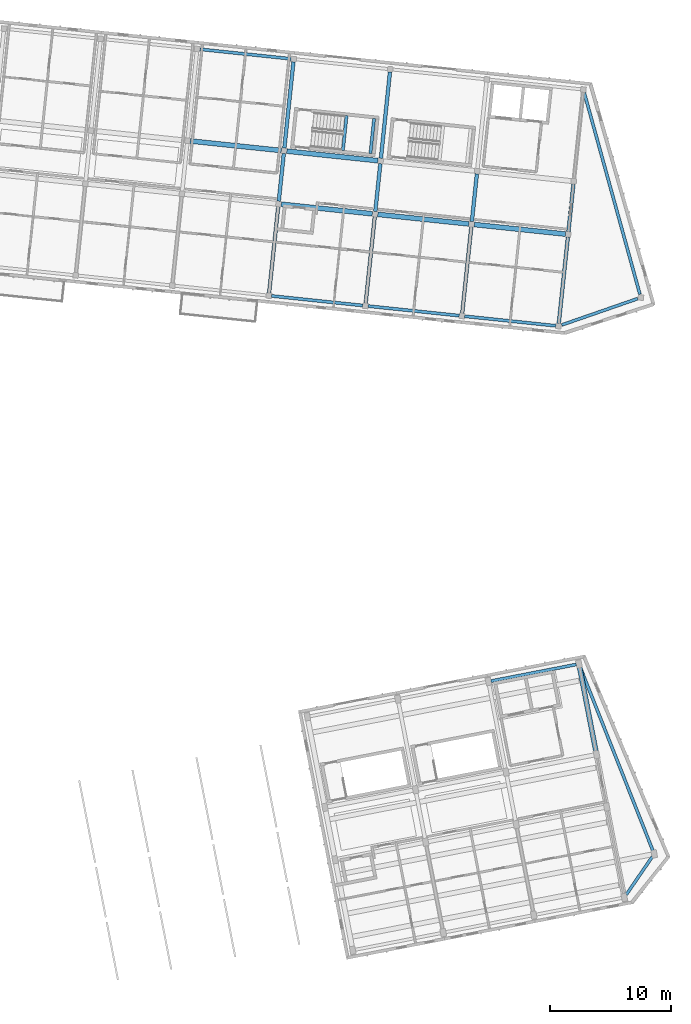
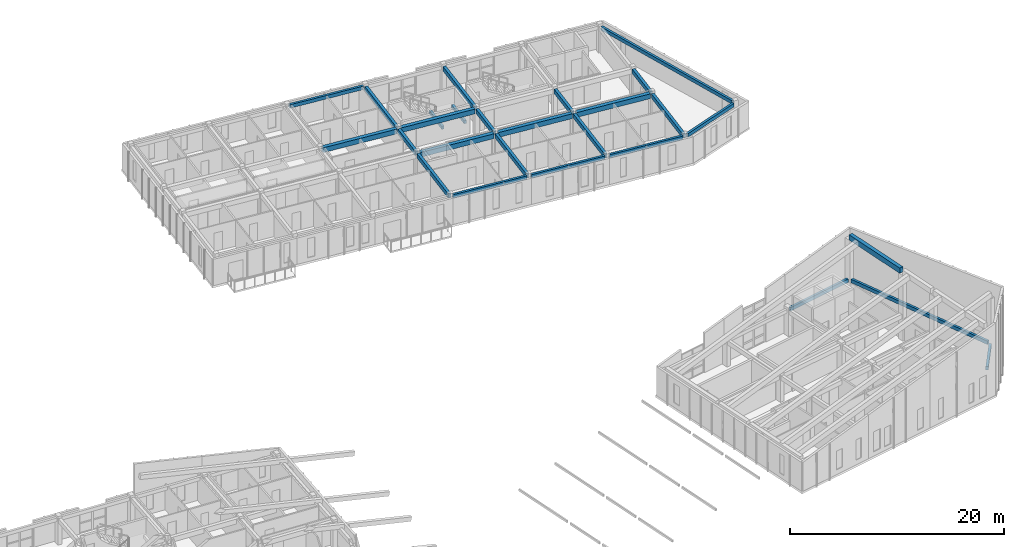
# One storey, part 13 of 56: 27 beams.
"""IFC4 building model written with IfcOpenShell, lengths in metres."""

from ifc_helpers import new_model, si_unit, direction, frame, origin, origin_2d, place, context, subcontext, project, spatial, rectangle, extrude, material, material_profile, profile_set, type_object, element, save


model = new_model("IFC4")

# Units and contexts
model_context = context("Model", 3, precision=1e-05, world=origin(), true_north=direction((0.0, 1.0)))
body_context = subcontext(model_context, "Body", "Model", "MODEL_VIEW")
ifc_project = project(units=[si_unit("LENGTHUNIT", "METRE"), si_unit("AREAUNIT", "SQUARE_METRE"), si_unit("VOLUMEUNIT", "CUBIC_METRE"), si_unit("PLANEANGLEUNIT", "RADIAN"), si_unit("MASSUNIT", "GRAM", prefix="KILO")], contexts=[model_context])

# Site, building, storey
site_placement = place(None, origin())
site = spatial("IfcSite", under=ifc_project, at=site_placement, CompositionType="ELEMENT")
building_placement = place(site_placement, origin())
building = spatial("IfcBuilding", under=site, at=building_placement, Name="Kestramere Prow Commons", CompositionType="ELEMENT")
storey_placement = place(building_placement, frame((0.0, 0.0, 27.89990234375)))
storey = spatial("IfcBuildingStorey", under=building, at=storey_placement, Name="L08", CompositionType="ELEMENT", Elevation=27.89990234375)

# Beams
ifc_material_1 = material(Name="Precast concrete C40/50", Category="concrete")
ifc_material_profile_1 = material_profile(ifc_material_1, rectangle(XDim=0.39990234375, YDim=0.550048828125, at=origin_2d()), Name="PC-BM 400x550")
ifc_profile_set_1 = profile_set([ifc_material_profile_1], Name="Precast concrete C40/50")
beam_type_1 = type_object("IfcBeamType", Name="BM-B1 PC-BM 400x550", PredefinedType="BEAM", material=ifc_profile_set_1)
beam_1_placement = place(storey_placement, frame((134.88671875, 99.826171875, 2.72509765625), z_axis=(0.994520149735, -0.104545070528, 0.0), x_axis=(0.104545070528, 0.994520149735, 0.0)))
element("IfcBeam", 1, at=beam_1_placement, inside=storey, type_object=beam_type_1, Name="Block B L08 Longitudinal Beam 2-4", PredefinedType="BEAM", context=body_context, shape_type="SweptSolid", body=[
    extrude(rectangle(XDim=0.39990234375, YDim=0.550048828125, at=origin_2d()), origin(), (0.0, 0.0, 1.0), 7.5498046875),
])
beam_2_placement = place(storey_placement, frame((142.8427734375, 98.989990234375, 2.72509765625), z_axis=(0.994520503149, -0.104541708502, 0.0), x_axis=(0.104541708502, 0.994520503149, 0.0)))
element("IfcBeam", 2, at=beam_2_placement, inside=storey, type_object=beam_type_1, Name="Block B L08 Longitudinal Beam 2-5", PredefinedType="BEAM", context=body_context, shape_type="SweptSolid", body=[
    extrude(rectangle(XDim=0.39990234375, YDim=0.550048828125, at=origin_2d()), origin(), (0.0, 0.0, 1.0), 7.550048828125),
])
beam_3_placement = place(storey_placement, frame((150.799072265625, 98.15380859375, 2.72509765625), z_axis=(0.994520149735, -0.104545070528, 0.0), x_axis=(0.104545070528, 0.994520149735, 0.0)))
element("IfcBeam", 3, at=beam_3_placement, inside=storey, type_object=beam_type_1, Name="Block B L08 Longitudinal Beam 2-6", PredefinedType="BEAM", context=body_context, shape_type="SweptSolid", body=[
    extrude(rectangle(XDim=0.39990234375, YDim=0.550048828125, at=origin_2d()), origin(), (0.0, 0.0, 1.0), 7.5498046875),
])
beam_4_placement = place(storey_placement, frame((127.390380859375, 105.038330078125, 2.72509765625), z_axis=(0.994520503149, -0.104541708502, 0.0), x_axis=(0.104541708502, 0.994520503149, 0.0)))
element("IfcBeam", 4, at=beam_4_placement, inside=storey, type_object=beam_type_1, Name="Block B L08 Longitudinal Beam 3-3", PredefinedType="BEAM", context=body_context, shape_type="SweptSolid", body=[
    extrude(rectangle(XDim=0.39990234375, YDim=0.550048828125, at=origin_2d()), origin(), (0.0, 0.0, 1.0), 7.550048828125),
])
beam_5_placement = place(storey_placement, frame((135.3466796875, 104.2021484375, 2.72509765625), z_axis=(0.994520149735, -0.104545070528, 0.0), x_axis=(0.104545070528, 0.994520149735, 0.0)))
element("IfcBeam", 5, at=beam_5_placement, inside=storey, type_object=beam_type_1, Name="Block B L08 Longitudinal Beam 3-4", PredefinedType="BEAM", context=body_context, shape_type="SweptSolid", body=[
    extrude(rectangle(XDim=0.39990234375, YDim=0.550048828125, at=origin_2d()), origin(), (0.0, 0.0, 1.0), 7.5498046875),
])
ifc_material_2 = material(Name="Concrete C40/50", Category="concrete")
ifc_material_profile_2 = material_profile(ifc_material_2, rectangle(XDim=0.25, YDim=0.35009765625, at=origin_2d()), Name="PC-BM 250x350")
ifc_profile_set_2 = profile_set([ifc_material_profile_2], Name="Concrete C40/50")
beam_type_2 = type_object("IfcBeamType", Name="BM-ST-TRIM", PredefinedType="BEAM", material=ifc_profile_set_2)
for number, where, z_axis, x_axis, name in (
    (6, (139.971923828125, 104.248779296875, 1.25), (0.104495697268, 0.994525338668, 0.0), (-0.994525338668, 0.104495697268, 0.0), "ST-B1 L08 Landing Trimmer Beam 1A"),
    (7, (142.2392578125, 104.010498046875, 1.25), (0.104579248847, 0.994516556278, 0.0), (-0.994516556278, 0.104579248847, 0.0), "ST-B1 L08 Landing Trimmer Beam 1B"),
):
    element("IfcBeam", number, at=place(storey_placement, frame(where, z_axis=z_axis, x_axis=x_axis)), inside=storey, type_object=beam_type_2, Name=name, PredefinedType="BEAM", context=body_context, shape_type="SweptSolid", body=[
        extrude(rectangle(XDim=0.25, YDim=0.35009765625, at=origin_2d()), origin(), (0.0, 0.0, 1.0), 2.89013671875),
    ])
ifc_material_profile_3 = material_profile(ifc_material_1, rectangle(XDim=0.300048828125, YDim=0.5, at=origin_2d()), Name="PC-BM 300x500")
ifc_profile_set_3 = profile_set([ifc_material_profile_3], Name="Precast concrete C40/50")
beam_type_3 = type_object("IfcBeamType", Name="BM-TIE-01 PC-BM 300x500", PredefinedType="BEAM", material=ifc_profile_set_3)
beam_6_placement = place(storey_placement, frame((133.89208984375, 92.51513671875, 2.75), z_axis=(0.104519481265, 0.994522839374, 0.0), x_axis=(-0.994522839374, 0.104519481265, 0.0)))
element("IfcBeam", 8, at=beam_6_placement, inside=storey, type_object=beam_type_3, Name="Block B L08 Transverse Beam 4-1", PredefinedType="BEAM", context=body_context, shape_type="SweptSolid", body=[
    extrude(rectangle(XDim=0.300048828125, YDim=0.5, at=origin_2d()), origin(), (0.0, 0.0, 1.0), 7.14990234375),
])
beam_7_placement = place(storey_placement, frame((134.6865234375, 100.073486328125, 2.75), z_axis=(0.104520690275, 0.994522712312, 0.0), x_axis=(-0.994522712312, 0.104520690275, 0.0)))
element("IfcBeam", 9, at=beam_7_placement, inside=storey, type_object=beam_type_3, Name="Block B L08 Transverse Beam 4-2", PredefinedType="BEAM", context=body_context, shape_type="SweptSolid", body=[
    extrude(rectangle(XDim=0.300048828125, YDim=0.5, at=origin_2d()), origin(), (0.0, 0.0, 1.0), 3.949951171875),
])
beam_8_placement = place(storey_placement, frame((135.146484375, 104.449462890625, 2.75), z_axis=(0.104523030711, 0.994522466338, 0.0), x_axis=(-0.994522466338, 0.104523030711, 0.0)))
element("IfcBeam", 10, at=beam_8_placement, inside=storey, type_object=beam_type_3, Name="Block B L08 Transverse Beam 4-3", PredefinedType="BEAM", context=body_context, shape_type="SweptSolid", body=[
    extrude(rectangle(XDim=0.300048828125, YDim=0.5, at=origin_2d()), origin(), (0.0, 0.0, 1.0), 7.149658203125),
])
beam_9_placement = place(storey_placement, frame((141.84814453125, 91.678955078125, 2.75), z_axis=(0.104553253602, 0.994519289487, 0.0), x_axis=(-0.994519289487, 0.104553253602, 0.0)))
element("IfcBeam", 11, at=beam_9_placement, inside=storey, type_object=beam_type_3, Name="Block B L08 Transverse Beam 5-1", PredefinedType="BEAM", context=body_context, shape_type="SweptSolid", body=[
    extrude(rectangle(XDim=0.300048828125, YDim=0.5, at=origin_2d()), origin(), (0.0, 0.0, 1.0), 7.150146484375),
])
beam_10_placement = place(storey_placement, frame((142.642578125, 99.2373046875, 2.75), z_axis=(0.104520690275, 0.994522712312, 0.0), x_axis=(-0.994522712312, 0.104520690275, 0.0)))
element("IfcBeam", 12, at=beam_10_placement, inside=storey, type_object=beam_type_3, Name="Block B L08 Transverse Beam 5-2", PredefinedType="BEAM", context=body_context, shape_type="SweptSolid", body=[
    extrude(rectangle(XDim=0.300048828125, YDim=0.5, at=origin_2d()), origin(), (0.0, 0.0, 1.0), 3.949951171875),
])
for number, where, z_axis, x_axis, name in (
    (13, (143.1025390625, 103.613037109375, 2.75), (0.104519481265, 0.994522839374, 0.0), (-0.994522839374, 0.104519481265, 0.0), "Block B L08 Transverse Beam 5-3"),
    (14, (149.804443359375, 90.842529296875, 2.75), (0.104519481265, 0.994522839374, 0.0), (-0.994522839374, 0.104519481265, 0.0), "Block B L08 Transverse Beam 6-1"),
):
    element("IfcBeam", number, at=place(storey_placement, frame(where, z_axis=z_axis, x_axis=x_axis)), inside=storey, type_object=beam_type_3, Name=name, PredefinedType="BEAM", context=body_context, shape_type="SweptSolid", body=[
        extrude(rectangle(XDim=0.300048828125, YDim=0.5, at=origin_2d()), origin(), (0.0, 0.0, 1.0), 7.14990234375),
    ])
beam_11_placement = place(storey_placement, frame((150.598876953125, 98.40087890625, 2.75), z_axis=(0.10451426563, 0.994523387498, 0.0), x_axis=(-0.994523387498, 0.10451426563, 0.0)))
element("IfcBeam", 15, at=beam_11_placement, inside=storey, type_object=beam_type_3, Name="Block B L08 Transverse Beam 6-2", PredefinedType="BEAM", context=body_context, shape_type="SweptSolid", body=[
    extrude(rectangle(XDim=0.300048828125, YDim=0.5, at=origin_2d()), origin(), (0.0, 0.0, 1.0), 3.9501953125),
])
beam_12_placement = place(storey_placement, frame((157.760498046875, 90.00634765625, 2.75), z_axis=(0.104553253602, 0.994519289487, 0.0), x_axis=(-0.994519289487, 0.104553253602, 0.0)))
element("IfcBeam", 16, at=beam_12_placement, inside=storey, type_object=beam_type_3, Name="Block B L08 Transverse Beam 7-1", PredefinedType="BEAM", context=body_context, shape_type="SweptSolid", body=[
    extrude(rectangle(XDim=0.300048828125, YDim=0.5, at=origin_2d()), origin(), (0.0, 0.0, 1.0), 7.150146484375),
])
beam_13_placement = place(storey_placement, frame((158.554931640625, 97.564697265625, 2.75), z_axis=(0.10451426563, 0.994523387498, 0.0), x_axis=(-0.994523387498, 0.10451426563, 0.0)))
element("IfcBeam", 17, at=beam_13_placement, inside=storey, type_object=beam_type_3, Name="Block B L08 Transverse Beam 7-2", PredefinedType="BEAM", context=body_context, shape_type="SweptSolid", body=[
    extrude(rectangle(XDim=0.300048828125, YDim=0.5, at=origin_2d()), origin(), (0.0, 0.0, 1.0), 3.9501953125),
])
ifc_material_profile_4 = material_profile(ifc_material_1, rectangle(XDim=0.39990234375, YDim=0.60009765625, at=origin_2d()), Name="PC-RB 400x600")
ifc_profile_set_4 = profile_set([ifc_material_profile_4], Name="Precast concrete C40/50")
beam_type_4 = type_object("IfcBeamType", Name="RB-PR-01 PC-RB 400x600", PredefinedType="BEAM", material=ifc_profile_set_4)
beam_14_placement = place(storey_placement, frame((160.838134765625, 54.6572265625, 7.767578125), z_axis=(-0.190795646995, 0.981629778016, 0.0), x_axis=(-0.981629778016, -0.190795646995, 0.0)))
element("IfcBeam", 18, at=beam_14_placement, inside=storey, type_object=beam_type_4, Name="Block D Prow Peak Transverse Girder 3", PredefinedType="BEAM", context=body_context, shape_type="SweptSolid", body=[
    extrude(rectangle(XDim=0.39990234375, YDim=0.60009765625, at=origin_2d()), origin(), (0.0, 0.0, 1.0), 7.239990234375),
])
ifc_material_profile_5 = material_profile(ifc_material_1, rectangle(XDim=0.25, YDim=0.39990234375, at=origin_2d()), Name="PC-SP 250x400")
ifc_profile_set_5 = profile_set([ifc_material_profile_5], Name="Precast concrete C40/50")
beam_type_5 = type_object("IfcBeamType", Name="SP-EXT-01 PC-SP 250x400", PredefinedType="SPANDREL", material=ifc_profile_set_5)
beam_15_placement = place(storey_placement, frame((158.00146484375, 89.87451171875, 2.800048828125), z_axis=(0.944739829863, 0.327821069901, 0.0), x_axis=(-0.327821069901, 0.944739829863, 0.0)))
element("IfcBeam", 19, at=beam_15_placement, inside=storey, type_object=beam_type_5, Name="Block B L08 Prow Facet Beam S", PredefinedType="SPANDREL", context=body_context, shape_type="SweptSolid", body=[
    extrude(rectangle(XDim=0.25, YDim=0.39990234375, at=origin_2d()), origin(), (0.0, 0.0, 1.0), 6.619873046875),
])
beam_16_placement = place(storey_placement, frame((159.8603515625, 109.00537109375, 2.800048828125), z_axis=(0.266276973363, -0.963896557446, 0.0), x_axis=(0.963896557446, 0.266276973363, 0.0)))
element("IfcBeam", 20, at=beam_16_placement, inside=storey, type_object=beam_type_5, Name="Block B L08 Prow Facet Beam N", PredefinedType="SPANDREL", context=body_context, shape_type="SweptSolid", body=[
    extrude(rectangle(XDim=0.25, YDim=0.39990234375, at=origin_2d()), origin(), (0.0, 0.0, 1.0), 17.220703125),
])
for number, where, z_axis, x_axis, name in (
    (21, (134.09228515625, 92.267822265625, 2.800048828125), (0.994520149735, -0.104545070528, 0.0), (0.104545070528, 0.994520149735, 0.0), "Block B L08 Longitudinal Beam 1-4"),
    (22, (142.048583984375, 91.431640625, 2.800048828125), (0.994520149735, -0.104545070528, 0.0), (0.104545070528, 0.994520149735, 0.0), "Block B L08 Longitudinal Beam 1-5"),
    (23, (150.004638671875, 90.595458984375, 2.800048828125), (0.994520149735, -0.104545070528, 0.0), (0.104545070528, 0.994520149735, 0.0), "Block B L08 Longitudinal Beam 1-6"),
):
    element("IfcBeam", number, at=place(storey_placement, frame(where, z_axis=z_axis, x_axis=x_axis)), inside=storey, type_object=beam_type_5, Name=name, PredefinedType="SPANDREL", context=body_context, shape_type="SweptSolid", body=[
        extrude(rectangle(XDim=0.25, YDim=0.39990234375, at=origin_2d()), origin(), (0.0, 0.0, 1.0), 7.5498046875),
    ])
beam_17_placement = place(storey_placement, frame((128.184814453125, 112.5966796875, 2.800048828125), z_axis=(0.994520503149, -0.104541708502, 0.0), x_axis=(0.104541708502, 0.994520503149, 0.0)))
element("IfcBeam", 24, at=beam_17_placement, inside=storey, type_object=beam_type_5, Name="Block B L08 Longitudinal Beam 4-3", PredefinedType="SPANDREL", context=body_context, shape_type="SweptSolid", body=[
    extrude(rectangle(XDim=0.25, YDim=0.39990234375, at=origin_2d()), origin(), (0.0, 0.0, 1.0), 7.550048828125),
])
beam_18_placement = place(storey_placement, frame((163.320556640625, 42.931640625, 2.800048828125), z_axis=(0.565935255914, 0.824449686829, 0.0), x_axis=(-0.824449686829, 0.565935255914, 0.0)))
element("IfcBeam", 25, at=beam_18_placement, inside=storey, type_object=beam_type_5, Name="Block D L08 Prow Facet Beam S", PredefinedType="SPANDREL", context=body_context, shape_type="SweptSolid", body=[
    extrude(rectangle(XDim=0.25, YDim=0.39990234375, at=origin_2d()), origin(), (0.0, 0.0, 1.0), 3.788818359375),
])
beam_19_placement = place(storey_placement, frame((159.525390625, 61.680419921875, 2.800048828125), z_axis=(0.368282919079, -0.929713768595, 0.0), x_axis=(0.929713768595, 0.368282919079, 0.0)))
element("IfcBeam", 26, at=beam_19_placement, inside=storey, type_object=beam_type_5, Name="Block D L08 Prow Facet Beam N", PredefinedType="SPANDREL", context=body_context, shape_type="SweptSolid", body=[
    extrude(rectangle(XDim=0.25, YDim=0.39990234375, at=origin_2d()), origin(), (0.0, 0.0, 1.0), 16.27783203125),
])
beam_20_placement = place(storey_placement, frame((152.182861328125, 60.533447265625, 2.800048828125), z_axis=(0.981621075955, 0.19084041302, 0.0), x_axis=(-0.19084041302, 0.981621075955, 0.0)))
element("IfcBeam", 27, at=beam_20_placement, inside=storey, type_object=beam_type_5, Name="Block D L08 Longitudinal Beam 4-6", PredefinedType="SPANDREL", context=body_context, shape_type="SweptSolid", body=[
    extrude(rectangle(XDim=0.25, YDim=0.39990234375, at=origin_2d()), origin(), (0.0, 0.0, 1.0), 7.14990234375),
])

save(model, "model.ifc")
